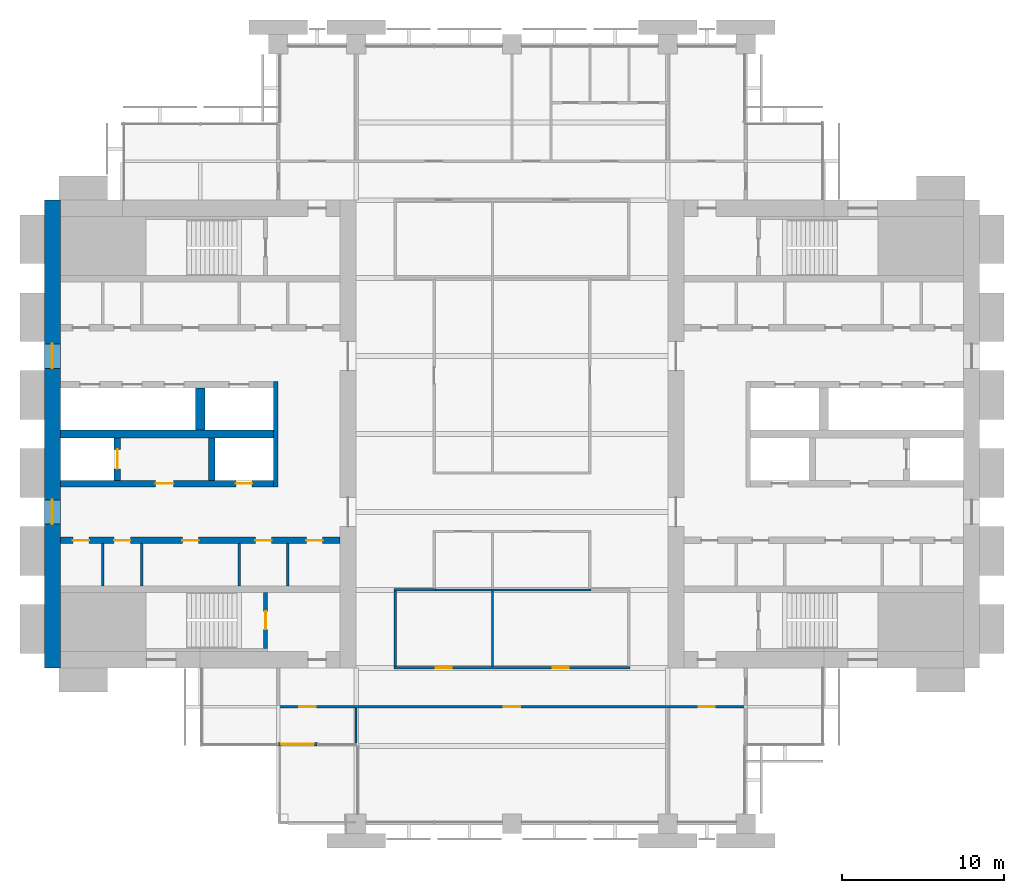
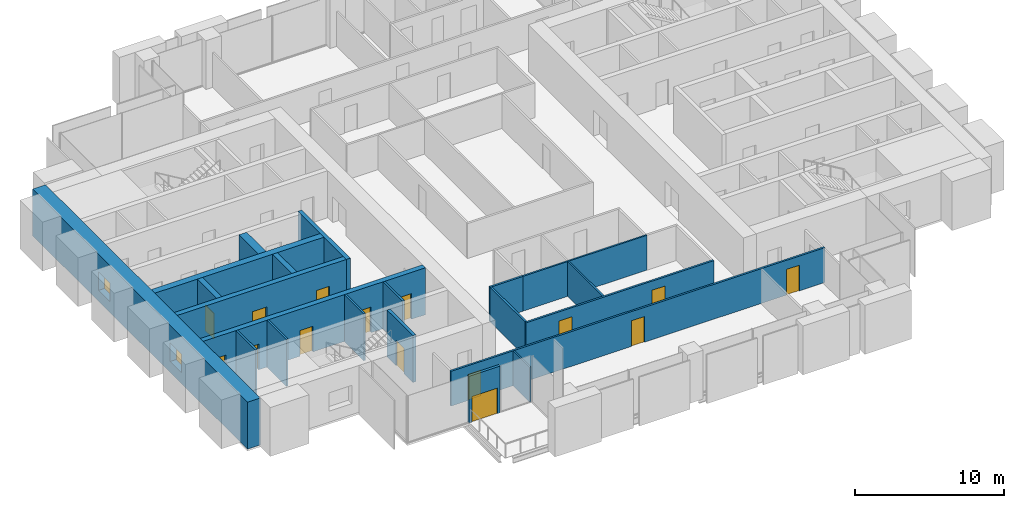
# One storey, part 9 of 14: 21 walls, 15 doors, 2 windows, 17 openings.
"""IFC4 building model written with IfcOpenShell, lengths in metres."""

from ifc_helpers import new_model, si_unit, direction, frame, frame_2d, origin, place, context, subcontext, project, spatial, rectangle, extrude, material, layer, layer_set, type_object, element, fill, save


model = new_model("IFC4")

# Units and contexts
model_context = context("Model", 3, precision=1e-05, world=origin(), true_north=direction((0.0, 1.0)))
body_context = subcontext(model_context, "Body", "Model", "MODEL_VIEW")
ifc_project = project(units=[si_unit("LENGTHUNIT", "METRE"), si_unit("AREAUNIT", "SQUARE_METRE"), si_unit("VOLUMEUNIT", "CUBIC_METRE"), si_unit("PLANEANGLEUNIT", "RADIAN"), si_unit("MASSUNIT", "GRAM", prefix="KILO")], contexts=[model_context])

# Site, building, storey
site_placement = place(None, origin())
site = spatial("IfcSite", under=ifc_project, at=site_placement, CompositionType="ELEMENT")
building_placement = place(site_placement, origin())
building = spatial("IfcBuilding", under=site, at=building_placement, Name="Baori Bourse Tower", CompositionType="ELEMENT")
storey_placement = place(building_placement, frame((0.0, 0.0, 148.10009765625)))
storey = spatial("IfcBuildingStorey", under=building, at=storey_placement, Name="L32", CompositionType="ELEMENT", Elevation=148.10009765625)

# Walls
ifc_material_1 = material(Name="Blockwork partition", Category="masonry")
ifc_layer_1 = layer(ifc_material_1, 0.14990234375)
ifc_layer_set_1 = layer_set([ifc_layer_1], Name="Core partition 150")
wall_type_1 = type_object("IfcWallType", Name="Core partition 150", PredefinedType="PARTITIONING", material=ifc_layer_set_1)
for number, where, z_axis, x_axis, name in (
    (1, (3.60009765625, 14.64990234375, 0.0), (0.0, 0.0, 1.0), (0.0, 1.0, 0.0), "Partition wall W10"),
    (2, (6.0, 14.64990234375, 0.0), (0.0, 0.0, 1.0), (0.0, 1.0, 0.0), "Partition wall W11"),
    (3, (12.0, 14.64990234375, 0.0), (0.0, 0.0, 1.0), (0.0, 1.0, 0.0), "Partition wall W12"),
    (4, (15.0, 14.64990234375, 0.0), (0.0, 0.0, 1.0), (0.0, 1.0, 0.0), "Partition wall W13"),
):
    element("IfcWall", number, at=place(storey_placement, frame(where, z_axis=z_axis, x_axis=x_axis)), inside=storey, type_object=wall_type_1, Name=name, PredefinedType="PARTITIONING", context=body_context, shape_type="SweptSolid", body=[
        extrude(rectangle(XDim=2.60009765625, YDim=0.14990234375, at=frame_2d((1.300048828125, 0.0))), origin(), (0.0, 0.0, 1.0), 3.83984375),
    ])

# Wall, openings, windows
ifc_material_2 = material(Name="Concrete f'c 60 MPa", Category="concrete")
ifc_layer_2 = layer(ifc_material_2, 1.0)
ifc_layer_set_2 = layer_set([ifc_layer_2], Name="Core wall 1000 f'c 60")
wall_type_2 = type_object("IfcWallType", Name="Core wall 1000 f'c 60", PredefinedType="SHEAR", material=ifc_layer_set_2)
wall_1_placement = place(storey_placement, frame((0.5, 9.60009765625, 0.0), z_axis=(0.0, 0.0, 1.0), x_axis=(0.0, 1.0, 0.0)))
wall_1 = element("IfcWall", 5, at=wall_1_placement, inside=storey, type_object=wall_type_2, Name="Core wall W01", PredefinedType="SHEAR", context=body_context, shape_type="SweptSolid", body=[
    extrude(rectangle(XDim=28.7998046875, YDim=1.0, at=frame_2d((14.39990234375, 0.0))), origin(), (0.0, 0.0, 1.0), 3.83984375),
])
opening_1_placement = place(wall_1_placement, frame((8.85009765625, 0.0, 0.89990234375)))
opening_1 = element("IfcOpeningElement", 6, at=opening_1_placement, cuts=wall_1, Name="Opening L32-KW101", PredefinedType="OPENING", context=body_context, shape_type="SweptSolid", body=[
    extrude(rectangle(XDim=1.5, YDim=1.5, at=frame_2d((0.75, 0.75))), frame((0.0, 0.510009765625, 0.0), z_axis=(0.0, -1.0, 0.0), x_axis=(1.0, 0.0, 0.0)), (0.0, 0.0, 1.0), 1.02001953125),
])
opening_2_placement = place(wall_1_placement, frame((18.449951171875, 0.0, 0.89990234375)))
opening_2 = element("IfcOpeningElement", 7, at=opening_2_placement, cuts=wall_1, Name="Opening L32-KW102", PredefinedType="OPENING", context=body_context, shape_type="SweptSolid", body=[
    extrude(rectangle(XDim=1.5, YDim=1.5, at=frame_2d((0.75, 0.75))), frame((0.0, 0.510009765625, 0.0), z_axis=(0.0, -1.0, 0.0), x_axis=(1.0, 0.0, 0.0)), (0.0, 0.0, 1.0), 1.02001953125),
])
ifc_material_3 = material(Name="Pale anodised aluminium", Category="aluminium")
window_type = type_object("IfcWindowType", Name="Lobby window 1500 x 1500", PartitioningType="SINGLE_PANEL", PredefinedType="WINDOW", material=ifc_material_3)
window_1_placement = place(opening_1_placement, origin())
window_1 = element("IfcWindow", 8, at=window_1_placement, inside=storey, type_object=window_type, Name="Outer wall window W L32 1", OverallHeight=1.5, OverallWidth=1.5, PartitioningType="SINGLE_PANEL", PredefinedType="WINDOW", context=body_context, shape_type="SweptSolid", body=[
    extrude(rectangle(XDim=1.5, YDim=1.5, at=frame_2d((0.75, 0.75))), frame((0.0, 0.030029296875, 0.0), z_axis=(0.0, -1.0, 0.0), x_axis=(1.0, 0.0, 0.0)), (0.0, 0.0, 1.0), 0.06005859375),
])
fill(opening_1, window_1)
window_2_placement = place(opening_2_placement, origin())
window_2 = element("IfcWindow", 9, at=window_2_placement, inside=storey, type_object=window_type, Name="Outer wall window W L32 2", OverallHeight=1.5, OverallWidth=1.5, PartitioningType="SINGLE_PANEL", PredefinedType="WINDOW", context=body_context, shape_type="SweptSolid", body=[
    extrude(rectangle(XDim=1.5, YDim=1.5, at=frame_2d((0.75, 0.75))), frame((0.0, 0.030029296875, 0.0), z_axis=(0.0, -1.0, 0.0), x_axis=(1.0, 0.0, 0.0)), (0.0, 0.0, 1.0), 0.06005859375),
])
fill(opening_2, window_2)

# Wall, openings, doors
ifc_material_4 = material(Name="Gypsum board partition")
ifc_layer_3 = layer(ifc_material_4, 0.14990234375)
ifc_layer_set_3 = layer_set([ifc_layer_3], Name="Corridor partition 150")
wall_type_3 = type_object("IfcWallType", Name="Corridor partition 150", PredefinedType="PARTITIONING", material=ifc_layer_set_3)
wall_2_placement = place(storey_placement, frame((14.324951171875, 7.199951171875, 0.0), z_axis=(0.0, 0.0, 1.0), x_axis=(1.0, 0.0, 0.0)))
wall_2 = element("IfcWall", 10, at=wall_2_placement, inside=storey, type_object=wall_type_3, Name="Partition", PredefinedType="PARTITIONING", context=body_context, shape_type="SweptSolid", body=[
    extrude(rectangle(XDim=28.949951171875, YDim=0.14990234375, at=frame_2d((14.47509765625, 0.0))), origin(), (0.0, 0.0, 1.0), 2.849365234375),
])
opening_3_placement = place(wall_2_placement, frame((1.375, 0.0, 0.0)))
opening_3 = element("IfcOpeningElement", 11, at=opening_3_placement, cuts=wall_2, Name="Opening L32-D01", PredefinedType="OPENING", context=body_context, shape_type="SweptSolid", body=[
    extrude(rectangle(XDim=1.0, YDim=2.10009765625, at=frame_2d((0.5, 1.050048828125))), frame((0.0, 0.0849609375, 0.0), z_axis=(0.0, -1.0, 0.0), x_axis=(1.0, 0.0, 0.0)), (0.0, 0.0, 1.0), 0.169921875),
])
opening_4_placement = place(wall_2_placement, frame((13.97509765625, 0.0, 0.0)))
opening_4 = element("IfcOpeningElement", 12, at=opening_4_placement, cuts=wall_2, Name="Opening L32-D02", PredefinedType="OPENING", context=body_context, shape_type="SweptSolid", body=[
    extrude(rectangle(XDim=1.0, YDim=2.10009765625, at=frame_2d((0.5, 1.050048828125))), frame((0.0, 0.0849609375, 0.0), z_axis=(0.0, -1.0, 0.0), x_axis=(1.0, 0.0, 0.0)), (0.0, 0.0, 1.0), 0.169921875),
])
opening_5_placement = place(wall_2_placement, frame((25.97509765625, 0.0, 0.0)))
opening_5 = element("IfcOpeningElement", 13, at=opening_5_placement, cuts=wall_2, Name="Opening L32-D03", PredefinedType="OPENING", context=body_context, shape_type="SweptSolid", body=[
    extrude(rectangle(XDim=1.0, YDim=2.10009765625, at=frame_2d((0.5, 1.050048828125))), frame((0.0, 0.0849609375, 0.0), z_axis=(0.0, -1.0, 0.0), x_axis=(1.0, 0.0, 0.0)), (0.0, 0.0, 1.0), 0.169921875),
])
ifc_material_5 = material(Name="Timber door leaf", Category="wood")
door_type_1 = type_object("IfcDoorType", Name="Door 1000 x 2100", OperationType="SINGLE_SWING_LEFT", PredefinedType="DOOR", material=ifc_material_5)
door_1_placement = place(opening_3_placement, origin())
door_1 = element("IfcDoor", 14, at=door_1_placement, inside=storey, type_object=door_type_1, Name="Door", OperationType="SINGLE_SWING_LEFT", OverallHeight=2.10009765625, OverallWidth=1.0, PredefinedType="DOOR", context=body_context, shape_type="SweptSolid", body=[
    extrude(rectangle(XDim=1.0, YDim=2.10009765625, at=frame_2d((0.5, 1.050048828125))), frame((0.0, 0.02490234375, 0.0), z_axis=(0.0, -1.0, 0.0), x_axis=(1.0, 0.0, 0.0)), (0.0, 0.0, 1.0), 0.050048828125),
])
fill(opening_3, door_1)
door_2_placement = place(opening_4_placement, origin())
door_2 = element("IfcDoor", 15, at=door_2_placement, inside=storey, type_object=door_type_1, Name="Door", OperationType="SINGLE_SWING_RIGHT", OverallHeight=2.10009765625, OverallWidth=1.0, PredefinedType="DOOR", context=body_context, shape_type="SweptSolid", body=[
    extrude(rectangle(XDim=1.0, YDim=2.10009765625, at=frame_2d((0.5, 1.050048828125))), frame((0.0, 0.02490234375, 0.0), z_axis=(0.0, -1.0, 0.0), x_axis=(1.0, 0.0, 0.0)), (0.0, 0.0, 1.0), 0.050048828125),
])
fill(opening_4, door_2)
door_3_placement = place(opening_5_placement, origin())
door_3 = element("IfcDoor", 16, at=door_3_placement, inside=storey, type_object=door_type_1, Name="Door", OperationType="SINGLE_SWING_RIGHT", OverallHeight=2.10009765625, OverallWidth=1.0, PredefinedType="DOOR", context=body_context, shape_type="SweptSolid", body=[
    extrude(rectangle(XDim=1.0, YDim=2.10009765625, at=frame_2d((0.5, 1.050048828125))), frame((0.0, 0.02490234375, 0.0), z_axis=(0.0, -1.0, 0.0), x_axis=(1.0, 0.0, 0.0)), (0.0, 0.0, 1.0), 0.050048828125),
])
fill(opening_5, door_3)

wall_3_placement = place(storey_placement, frame((21.52490234375, 9.60009765625, 0.0), z_axis=(0.0, 0.0, 1.0), x_axis=(1.0, 0.0, 0.0)))
wall_3 = element("IfcWall", 17, at=wall_3_placement, inside=storey, type_object=wall_type_3, Name="Partition", PredefinedType="PARTITIONING", context=body_context, shape_type="SweptSolid", body=[
    extrude(rectangle(XDim=14.550048828125, YDim=0.14990234375, at=frame_2d((7.27490234375, 0.0))), origin(), (0.0, 0.0, 1.0), 2.849365234375),
])
opening_6_placement = place(wall_3_placement, frame((2.574951171875, 0.0, 0.0)))
opening_6 = element("IfcOpeningElement", 18, at=opening_6_placement, cuts=wall_3, Name="Opening L32-D04", PredefinedType="OPENING", context=body_context, shape_type="SweptSolid", body=[
    extrude(rectangle(XDim=1.0, YDim=2.10009765625, at=frame_2d((0.5, 1.050048828125))), frame((0.0, 0.0849609375, 0.0), z_axis=(0.0, -1.0, 0.0), x_axis=(1.0, 0.0, 0.0)), (0.0, 0.0, 1.0), 0.169921875),
])
opening_7_placement = place(wall_3_placement, frame((9.77490234375, 0.0, 0.0)))
opening_7 = element("IfcOpeningElement", 19, at=opening_7_placement, cuts=wall_3, Name="Opening L32-D05", PredefinedType="OPENING", context=body_context, shape_type="SweptSolid", body=[
    extrude(rectangle(XDim=1.0, YDim=2.10009765625, at=frame_2d((0.5, 1.050048828125))), frame((0.0, 0.0849609375, 0.0), z_axis=(0.0, -1.0, 0.0), x_axis=(1.0, 0.0, 0.0)), (0.0, 0.0, 1.0), 0.169921875),
])
door_4_placement = place(opening_6_placement, origin())
door_4 = element("IfcDoor", 20, at=door_4_placement, inside=storey, type_object=door_type_1, Name="Door", OperationType="SINGLE_SWING_RIGHT", OverallHeight=2.10009765625, OverallWidth=1.0, PredefinedType="DOOR", context=body_context, shape_type="SweptSolid", body=[
    extrude(rectangle(XDim=1.0, YDim=2.10009765625, at=frame_2d((0.5, 1.050048828125))), frame((0.0, 0.02490234375, 0.0), z_axis=(0.0, -1.0, 0.0), x_axis=(1.0, 0.0, 0.0)), (0.0, 0.0, 1.0), 0.050048828125),
])
fill(opening_6, door_4)
door_5_placement = place(opening_7_placement, origin())
door_5 = element("IfcDoor", 21, at=door_5_placement, inside=storey, type_object=door_type_1, Name="Door", OperationType="SINGLE_SWING_LEFT", OverallHeight=2.10009765625, OverallWidth=1.0, PredefinedType="DOOR", context=body_context, shape_type="SweptSolid", body=[
    extrude(rectangle(XDim=1.0, YDim=2.10009765625, at=frame_2d((0.5, 1.050048828125))), frame((0.0, 0.02490234375, 0.0), z_axis=(0.0, -1.0, 0.0), x_axis=(1.0, 0.0, 0.0)), (0.0, 0.0, 1.0), 0.050048828125),
])
fill(opening_7, door_5)

# Walls
wall_4_placement = place(storey_placement, frame((21.52490234375, 14.39990234375, 0.0), z_axis=(0.0, 0.0, 1.0), x_axis=(1.0, 0.0, 0.0)))
element("IfcWall", 22, at=wall_4_placement, inside=storey, type_object=wall_type_3, Name="Partition", PredefinedType="PARTITIONING", context=body_context, shape_type="SweptSolid", body=[
    extrude(rectangle(XDim=2.550048828125, YDim=0.14990234375, at=frame_2d((1.27490234375, 0.0))), origin(), (0.0, 0.0, 1.0), 2.849365234375),
])
wall_5_placement = place(storey_placement, frame((21.60009765625, 9.675048828125, 0.0), z_axis=(0.0, 0.0, 1.0), x_axis=(0.0, 1.0, 0.0)))
element("IfcWall", 23, at=wall_5_placement, inside=storey, type_object=wall_type_3, Name="Partition", PredefinedType="PARTITIONING", context=body_context, shape_type="SweptSolid", body=[
    extrude(rectangle(XDim=4.64990234375, YDim=0.14990234375, at=frame_2d((2.324951171875, 0.0))), origin(), (0.0, 0.0, 1.0), 2.849365234375),
])

# Wall, opening, door
ifc_material_6 = material(Name="Pale anodised aluminium", Category="aluminium")
ifc_layer_4 = layer(ifc_material_6, 0.199951171875)
ifc_layer_set_4 = layer_set([ifc_layer_4], Name="EW1 External wall bay")
wall_type_4 = type_object("IfcWallType", Name="EW1 External wall bay", PredefinedType="SOLIDWALL", material=ifc_layer_set_4)
wall_6_placement = place(storey_placement, frame((14.39990234375, 4.89990234375, 0.0), z_axis=(0.0, 0.0, 1.0), x_axis=(1.0, 0.0, 0.0)))
wall_6 = element("IfcWall", 24, at=wall_6_placement, inside=storey, type_object=wall_type_4, Name="External wall bay L32 1", PredefinedType="SOLIDWALL", context=body_context, shape_type="SweptSolid", body=[
    extrude(rectangle(XDim=2.400146484375, YDim=0.199951171875, at=frame_2d((1.2001953125, 0.0))), origin(), (0.0, 0.0, 1.0), 3.83984375),
])
opening_8_placement = place(wall_6_placement, frame((0.199951171875, 0.0, 0.0)))
opening_8 = element("IfcOpeningElement", 25, at=opening_8_placement, cuts=wall_6, Name="Opening L32-D91", PredefinedType="OPENING", context=body_context, shape_type="SweptSolid", body=[
    extrude(rectangle(XDim=2.0, YDim=2.10009765625, at=frame_2d((1.0, 1.050048828125))), frame((0.0, 0.10986328125, 0.0), z_axis=(0.0, -1.0, 0.0), x_axis=(1.0, 0.0, 0.0)), (0.0, 0.0, 1.0), 0.219970703125),
])
ifc_material_7 = material(Name="Pale anodised aluminium", Category="aluminium")
door_type_2 = type_object("IfcDoorType", Name="TR1 Terrace door", OperationType="DOUBLE_DOOR_SINGLE_SWING", PredefinedType="DOOR", material=ifc_material_7)
door_6_placement = place(opening_8_placement, origin())
door_6 = element("IfcDoor", 26, at=door_6_placement, inside=storey, type_object=door_type_2, Name="Terrace door L32 1", OperationType="SINGLE_SWING_LEFT", OverallHeight=2.10009765625, OverallWidth=2.0, PredefinedType="DOOR", context=body_context, shape_type="SweptSolid", body=[
    extrude(rectangle(XDim=2.0, YDim=2.10009765625, at=frame_2d((1.0, 1.050048828125))), frame((0.0, 0.02490234375, 0.0), z_axis=(0.0, -1.0, 0.0), x_axis=(1.0, 0.0, 0.0)), (0.0, 0.0, 1.0), 0.050048828125),
])
fill(opening_8, door_6)

# Walls
ifc_material_8 = material(Name="Gypsum board partition")
ifc_layer_5 = layer(ifc_material_8, 0.125)
ifc_layer_set_5 = layer_set([ifc_layer_5], Name="Partition 125")
wall_type_5 = type_object("IfcWallType", Name="Partition 125", PredefinedType="PARTITIONING", material=ifc_layer_set_5)
wall_7_placement = place(storey_placement, frame((24.074951171875, 14.39990234375, 0.0), z_axis=(0.0, 0.0, 1.0), x_axis=(1.0, 0.0, 0.0)))
element("IfcWall", 27, at=wall_7_placement, inside=storey, type_object=wall_type_5, Name="Partition", PredefinedType="PARTITIONING", context=body_context, shape_type="SweptSolid", body=[
    extrude(rectangle(XDim=9.60009765625, YDim=0.125, at=frame_2d((4.800048828125, 0.0))), origin(), (0.0, 0.0, 1.0), 2.849365234375),
])
wall_8_placement = place(storey_placement, frame((19.199951171875, 4.89990234375, 0.0), z_axis=(0.0, 0.0, 1.0), x_axis=(0.0, 1.0, 0.0)))
element("IfcWall", 28, at=wall_8_placement, inside=storey, type_object=wall_type_5, Name="Partition", PredefinedType="PARTITIONING", context=body_context, shape_type="SweptSolid", body=[
    extrude(rectangle(XDim=2.22509765625, YDim=0.125, at=frame_2d((1.112548828125, 0.0))), origin(), (0.0, 0.0, 1.0), 2.849365234375),
])
wall_9_placement = place(storey_placement, frame((27.60009765625, 9.675048828125, 0.0), z_axis=(0.0, 0.0, 1.0), x_axis=(0.0, 1.0, 0.0)))
element("IfcWall", 29, at=wall_9_placement, inside=storey, type_object=wall_type_5, Name="Partition", PredefinedType="PARTITIONING", context=body_context, shape_type="SweptSolid", body=[
    extrude(rectangle(XDim=4.662353515625, YDim=0.125, at=frame_2d((2.3310546875, 0.0))), origin(), (0.0, 0.0, 1.0), 2.849365234375),
])

# Wall, opening, door
ifc_material_9 = material(Name="Concrete f'c 60 MPa", Category="concrete")
ifc_layer_6 = layer(ifc_material_9, 0.25)
ifc_layer_set_6 = layer_set([ifc_layer_6], Name="Shaft wall 250 f'c 60")
wall_type_6 = type_object("IfcWallType", Name="Shaft wall 250 f'c 60", PredefinedType="SHEAR", material=ifc_layer_set_6)
wall_10_placement = place(storey_placement, frame((13.625, 10.800048828125, 0.0), z_axis=(0.0, 0.0, 1.0), x_axis=(0.0, 1.0, 0.0)))
wall_10 = element("IfcWall", 30, at=wall_10_placement, inside=storey, type_object=wall_type_6, Name="Core wall W08", PredefinedType="SHEAR", context=body_context, shape_type="SweptSolid", body=[
    extrude(rectangle(XDim=3.449951171875, YDim=0.25, at=frame_2d((1.72509765625, 0.0))), origin(), (0.0, 0.0, 1.0), 3.83984375),
])
opening_9_placement = place(wall_10_placement, frame((1.175048828125, 0.0, 0.0)))
opening_9 = element("IfcOpeningElement", 31, at=opening_9_placement, cuts=wall_10, Name="Opening L32-D101", PredefinedType="OPENING", context=body_context, shape_type="SweptSolid", body=[
    extrude(rectangle(XDim=1.10009765625, YDim=2.10009765625, at=frame_2d((0.550048828125, 1.050048828125))), frame((0.0, 0.135009765625, 0.0), z_axis=(0.0, -1.0, 0.0), x_axis=(1.0, 0.0, 0.0)), (0.0, 0.0, 1.0), 0.27001953125),
])
ifc_material_10 = material(Name="Painted steel door", Category="steel")
door_type_3 = type_object("IfcDoorType", Name="Stair door 1100", OperationType="SINGLE_SWING_LEFT", PredefinedType="DOOR", material=ifc_material_10)
door_7_placement = place(opening_9_placement, origin())
door_7 = element("IfcDoor", 32, at=door_7_placement, inside=storey, type_object=door_type_3, Name="Stair door A W L32", OperationType="SINGLE_SWING_LEFT", OverallHeight=2.10009765625, OverallWidth=1.10009765625, PredefinedType="DOOR", context=body_context, shape_type="SweptSolid", body=[
    extrude(rectangle(XDim=1.10009765625, YDim=2.10009765625, at=frame_2d((0.550048828125, 1.050048828125))), frame((0.0, 0.02490234375, 0.0), z_axis=(0.0, -1.0, 0.0), x_axis=(1.0, 0.0, 0.0)), (0.0, 0.0, 1.0), 0.050048828125),
])
fill(opening_9, door_7)

# Wall
ifc_material_11 = material(Name="Concrete f'c 60 MPa", Category="concrete")
ifc_layer_7 = layer(ifc_material_11, 0.300048828125)
ifc_layer_set_7 = layer_set([ifc_layer_7], Name="Shaft wall 300 f'c 60")
wall_type_7 = type_object("IfcWallType", Name="Shaft wall 300 f'c 60", PredefinedType="SHEAR", material=ifc_layer_set_7)
wall_11_placement = place(storey_placement, frame((14.25, 20.75, 0.0), z_axis=(0.0, 0.0, 1.0), x_axis=(0.0, 1.0, 0.0)))
element("IfcWall", 33, at=wall_11_placement, inside=storey, type_object=wall_type_7, Name="Core wall W16", PredefinedType="SHEAR", context=body_context, shape_type="SweptSolid", body=[
    extrude(rectangle(XDim=6.5, YDim=0.300048828125, at=frame_2d((3.25, 0.0))), origin(), (0.0, 0.0, 1.0), 3.83984375),
])

# Wall, openings, doors
ifc_material_12 = material(Name="Concrete f'c 60 MPa", Category="concrete")
ifc_layer_8 = layer(ifc_material_12, 0.39990234375)
ifc_layer_set_8 = layer_set([ifc_layer_8], Name="Shaft wall 400 f'c 60")
wall_type_8 = type_object("IfcWallType", Name="Shaft wall 400 f'c 60", PredefinedType="SHEAR", material=ifc_layer_set_8)
wall_12_placement = place(storey_placement, frame((1.0, 17.449951171875, 0.0), z_axis=(0.0, 0.0, 1.0), x_axis=(1.0, 0.0, 0.0)))
wall_12 = element("IfcWall", 34, at=wall_12_placement, inside=storey, type_object=wall_type_8, Name="Core wall W14", PredefinedType="SHEAR", context=body_context, shape_type="SweptSolid", body=[
    extrude(rectangle(XDim=17.199951171875, YDim=0.39990234375, at=frame_2d((8.60009765625, 0.0))), origin(), (0.0, 0.0, 1.0), 3.83984375),
])
opening_10_placement = place(wall_12_placement, frame((0.762451171875, 0.0, 0.0)))
opening_10 = element("IfcOpeningElement", 35, at=opening_10_placement, cuts=wall_12, Name="Opening L32-D114", PredefinedType="OPENING", context=body_context, shape_type="SweptSolid", body=[
    extrude(rectangle(XDim=1.0, YDim=2.10009765625, at=frame_2d((0.5, 1.050048828125))), frame((0.0, 0.2099609375, 0.0), z_axis=(0.0, -1.0, 0.0), x_axis=(1.0, 0.0, 0.0)), (0.0, 0.0, 1.0), 0.419921875),
])
opening_11_placement = place(wall_12_placement, frame((3.300048828125, 0.0, 0.0)))
opening_11 = element("IfcOpeningElement", 36, at=opening_11_placement, cuts=wall_12, Name="Opening L32-D115", PredefinedType="OPENING", context=body_context, shape_type="SweptSolid", body=[
    extrude(rectangle(XDim=1.0, YDim=2.10009765625, at=frame_2d((0.5, 1.050048828125))), frame((0.0, 0.2099609375, 0.0), z_axis=(0.0, -1.0, 0.0), x_axis=(1.0, 0.0, 0.0)), (0.0, 0.0, 1.0), 0.419921875),
])
opening_12_placement = place(wall_12_placement, frame((7.5, 0.0, 0.0)))
opening_12 = element("IfcOpeningElement", 37, at=opening_12_placement, cuts=wall_12, Name="Opening L32-D116", PredefinedType="OPENING", context=body_context, shape_type="SweptSolid", body=[
    extrude(rectangle(XDim=1.0, YDim=2.10009765625, at=frame_2d((0.5, 1.050048828125))), frame((0.0, 0.2099609375, 0.0), z_axis=(0.0, -1.0, 0.0), x_axis=(1.0, 0.0, 0.0)), (0.0, 0.0, 1.0), 0.419921875),
])
opening_13_placement = place(wall_12_placement, frame((12.0, 0.0, 0.0)))
opening_13 = element("IfcOpeningElement", 38, at=opening_13_placement, cuts=wall_12, Name="Opening L32-D117", PredefinedType="OPENING", context=body_context, shape_type="SweptSolid", body=[
    extrude(rectangle(XDim=1.0, YDim=2.10009765625, at=frame_2d((0.5, 1.050048828125))), frame((0.0, 0.2099609375, 0.0), z_axis=(0.0, -1.0, 0.0), x_axis=(1.0, 0.0, 0.0)), (0.0, 0.0, 1.0), 0.419921875),
])
opening_14_placement = place(wall_12_placement, frame((15.137451171875, 0.0, 0.0)))
opening_14 = element("IfcOpeningElement", 39, at=opening_14_placement, cuts=wall_12, Name="Opening L32-D118", PredefinedType="OPENING", context=body_context, shape_type="SweptSolid", body=[
    extrude(rectangle(XDim=1.0, YDim=2.10009765625, at=frame_2d((0.5, 1.050048828125))), frame((0.0, 0.2099609375, 0.0), z_axis=(0.0, -1.0, 0.0), x_axis=(1.0, 0.0, 0.0)), (0.0, 0.0, 1.0), 0.419921875),
])
ifc_material_13 = material(Name="Painted steel door", Category="steel")
door_type_4 = type_object("IfcDoorType", Name="Core door 1000", OperationType="SINGLE_SWING_LEFT", PredefinedType="DOOR", material=ifc_material_13)
door_8_placement = place(opening_10_placement, origin())
door_8 = element("IfcDoor", 40, at=door_8_placement, inside=storey, type_object=door_type_4, Name="Store Room door W L32", OperationType="SINGLE_SWING_LEFT", OverallHeight=2.10009765625, OverallWidth=1.0, PredefinedType="DOOR", context=body_context, shape_type="SweptSolid", body=[
    extrude(rectangle(XDim=1.0, YDim=2.10009765625, at=frame_2d((0.5, 1.050048828125))), frame((0.0, 0.02490234375, 0.0), z_axis=(0.0, -1.0, 0.0), x_axis=(1.0, 0.0, 0.0)), (0.0, 0.0, 1.0), 0.050048828125),
])
fill(opening_10, door_8)
door_9_placement = place(opening_11_placement, origin())
door_9 = element("IfcDoor", 41, at=door_9_placement, inside=storey, type_object=door_type_4, Name="Pantry door W L32", OperationType="SINGLE_SWING_LEFT", OverallHeight=2.10009765625, OverallWidth=1.0, PredefinedType="DOOR", context=body_context, shape_type="SweptSolid", body=[
    extrude(rectangle(XDim=1.0, YDim=2.10009765625, at=frame_2d((0.5, 1.050048828125))), frame((0.0, 0.02490234375, 0.0), z_axis=(0.0, -1.0, 0.0), x_axis=(1.0, 0.0, 0.0)), (0.0, 0.0, 1.0), 0.050048828125),
])
fill(opening_11, door_9)
door_10_placement = place(opening_12_placement, origin())
door_10 = element("IfcDoor", 42, at=door_10_placement, inside=storey, type_object=door_type_4, Name="Men'S Wc door W L32", OperationType="SINGLE_SWING_LEFT", OverallHeight=2.10009765625, OverallWidth=1.0, PredefinedType="DOOR", context=body_context, shape_type="SweptSolid", body=[
    extrude(rectangle(XDim=1.0, YDim=2.10009765625, at=frame_2d((0.5, 1.050048828125))), frame((0.0, 0.02490234375, 0.0), z_axis=(0.0, -1.0, 0.0), x_axis=(1.0, 0.0, 0.0)), (0.0, 0.0, 1.0), 0.050048828125),
])
fill(opening_12, door_10)
door_11_placement = place(opening_13_placement, origin())
door_11 = element("IfcDoor", 43, at=door_11_placement, inside=storey, type_object=door_type_4, Name="Women'S Wc door W L32", OperationType="SINGLE_SWING_LEFT", OverallHeight=2.10009765625, OverallWidth=1.0, PredefinedType="DOOR", context=body_context, shape_type="SweptSolid", body=[
    extrude(rectangle(XDim=1.0, YDim=2.10009765625, at=frame_2d((0.5, 1.050048828125))), frame((0.0, 0.02490234375, 0.0), z_axis=(0.0, -1.0, 0.0), x_axis=(1.0, 0.0, 0.0)), (0.0, 0.0, 1.0), 0.050048828125),
])
fill(opening_13, door_11)
door_12_placement = place(opening_14_placement, origin())
door_12 = element("IfcDoor", 44, at=door_12_placement, inside=storey, type_object=door_type_4, Name="Accessible Wc door W L32", OperationType="SINGLE_SWING_LEFT", OverallHeight=2.10009765625, OverallWidth=1.0, PredefinedType="DOOR", context=body_context, shape_type="SweptSolid", body=[
    extrude(rectangle(XDim=1.0, YDim=2.10009765625, at=frame_2d((0.5, 1.050048828125))), frame((0.0, 0.02490234375, 0.0), z_axis=(0.0, -1.0, 0.0), x_axis=(1.0, 0.0, 0.0)), (0.0, 0.0, 1.0), 0.050048828125),
])
fill(opening_14, door_12)

wall_13_placement = place(storey_placement, frame((1.0, 20.949951171875, 0.0), z_axis=(0.0, 0.0, 1.0), x_axis=(1.0, 0.0, 0.0)))
wall_13 = element("IfcWall", 45, at=wall_13_placement, inside=storey, type_object=wall_type_8, Name="Core wall W15", PredefinedType="SHEAR", context=body_context, shape_type="SweptSolid", body=[
    extrude(rectangle(XDim=13.10009765625, YDim=0.39990234375, at=frame_2d((6.550048828125, 0.0))), origin(), (0.0, 0.0, 1.0), 3.83984375),
])
opening_15_placement = place(wall_13_placement, frame((5.85009765625, 0.0, 0.0)))
opening_15 = element("IfcOpeningElement", 46, at=opening_15_placement, cuts=wall_13, Name="Opening L32-D105", PredefinedType="OPENING", context=body_context, shape_type="SweptSolid", body=[
    extrude(rectangle(XDim=1.10009765625, YDim=2.10009765625, at=frame_2d((0.550048828125, 1.050048828125))), frame((0.0, 0.2099609375, 0.0), z_axis=(0.0, -1.0, 0.0), x_axis=(1.0, 0.0, 0.0)), (0.0, 0.0, 1.0), 0.419921875),
])
opening_16_placement = place(wall_13_placement, frame((10.800048828125, 0.0, 0.0)))
opening_16 = element("IfcOpeningElement", 47, at=opening_16_placement, cuts=wall_13, Name="Opening L32-D106", PredefinedType="OPENING", context=body_context, shape_type="SweptSolid", body=[
    extrude(rectangle(XDim=1.0, YDim=2.10009765625, at=frame_2d((0.5, 1.050048828125))), frame((0.0, 0.2099609375, 0.0), z_axis=(0.0, -1.0, 0.0), x_axis=(1.0, 0.0, 0.0)), (0.0, 0.0, 1.0), 0.419921875),
])
ifc_material_14 = material(Name="Painted steel door", Category="steel")
door_type_5 = type_object("IfcDoorType", Name="Lobby door 1100", OperationType="SINGLE_SWING_LEFT", PredefinedType="DOOR", material=ifc_material_14)
door_13_placement = place(opening_15_placement, origin())
door_13 = element("IfcDoor", 48, at=door_13_placement, inside=storey, type_object=door_type_5, Name="Firefighting lobby door W L32", OperationType="SINGLE_SWING_LEFT", OverallHeight=2.10009765625, OverallWidth=1.10009765625, PredefinedType="DOOR", context=body_context, shape_type="SweptSolid", body=[
    extrude(rectangle(XDim=1.10009765625, YDim=2.10009765625, at=frame_2d((0.550048828125, 1.050048828125))), frame((0.0, 0.02490234375, 0.0), z_axis=(0.0, -1.0, 0.0), x_axis=(1.0, 0.0, 0.0)), (0.0, 0.0, 1.0), 0.050048828125),
])
fill(opening_15, door_13)
ifc_material_15 = material(Name="Painted steel door", Category="steel")
door_type_6 = type_object("IfcDoorType", Name="Shaft door 1000", OperationType="SINGLE_SWING_LEFT", PredefinedType="DOOR", material=ifc_material_15)
door_14_placement = place(opening_16_placement, origin())
door_14 = element("IfcDoor", 49, at=door_14_placement, inside=storey, type_object=door_type_6, Name="Riser room door W L32", OperationType="SINGLE_SWING_LEFT", OverallHeight=2.10009765625, OverallWidth=1.0, PredefinedType="DOOR", context=body_context, shape_type="SweptSolid", body=[
    extrude(rectangle(XDim=1.0, YDim=2.10009765625, at=frame_2d((0.5, 1.050048828125))), frame((0.0, 0.02490234375, 0.0), z_axis=(0.0, -1.0, 0.0), x_axis=(1.0, 0.0, 0.0)), (0.0, 0.0, 1.0), 0.050048828125),
])
fill(opening_16, door_14)

# Wall, opening, door
wall_14_placement = place(storey_placement, frame((4.5, 21.14990234375, 0.0), z_axis=(0.0, 0.0, 1.0), x_axis=(0.0, 1.0, 0.0)))
wall_14 = element("IfcWall", 50, at=wall_14_placement, inside=storey, type_object=wall_type_8, Name="Core wall W17", PredefinedType="SHEAR", context=body_context, shape_type="SweptSolid", body=[
    extrude(rectangle(XDim=2.60009765625, YDim=0.39990234375, at=frame_2d((1.300048828125, 0.0))), origin(), (0.0, 0.0, 1.0), 3.83984375),
])
opening_17_placement = place(wall_14_placement, frame((0.699951171875, 0.0, 0.0)))
opening_17 = element("IfcOpeningElement", 51, at=opening_17_placement, cuts=wall_14, Name="Opening L32-D123", PredefinedType="OPENING", context=body_context, shape_type="SweptSolid", body=[
    extrude(rectangle(XDim=1.199951171875, YDim=2.10009765625, at=frame_2d((0.60009765625, 1.050048828125))), frame((0.0, 0.2099609375, 0.0), z_axis=(0.0, -1.0, 0.0), x_axis=(1.0, 0.0, 0.0)), (0.0, 0.0, 1.0), 0.419921875),
])
ifc_material_16 = material(Name="Stainless steel door", Category="steel")
door_type_7 = type_object("IfcDoorType", Name="Lift landing door", OperationType="DOUBLE_DOOR_SLIDING", PredefinedType="DOOR", material=ifc_material_16)
door_15_placement = place(opening_17_placement, origin())
door_15 = element("IfcDoor", 52, at=door_15_placement, inside=storey, type_object=door_type_7, Name="Lift landing door FF1 W L32", OperationType="DOUBLE_DOOR_SLIDING", OverallHeight=2.10009765625, OverallWidth=1.199951171875, PredefinedType="DOOR", context=body_context, shape_type="SweptSolid", body=[
    extrude(rectangle(XDim=1.199951171875, YDim=2.10009765625, at=frame_2d((0.60009765625, 1.050048828125))), frame((0.0, 0.02490234375, 0.0), z_axis=(0.0, -1.0, 0.0), x_axis=(1.0, 0.0, 0.0)), (0.0, 0.0, 1.0), 0.050048828125),
])
fill(opening_17, door_15)

# Walls
wall_15_placement = place(storey_placement, frame((10.300048828125, 21.14990234375, 0.0), z_axis=(0.0, 0.0, 1.0), x_axis=(0.0, 1.0, 0.0)))
element("IfcWall", 53, at=wall_15_placement, inside=storey, type_object=wall_type_8, Name="Core wall W18", PredefinedType="SHEAR", context=body_context, shape_type="SweptSolid", body=[
    extrude(rectangle(XDim=2.60009765625, YDim=0.39990234375, at=frame_2d((1.300048828125, 0.0))), origin(), (0.0, 0.0, 1.0), 3.83984375),
])
ifc_material_17 = material(Name="Concrete f'c 60 MPa", Category="concrete")
ifc_layer_9 = layer(ifc_material_17, 0.5)
ifc_layer_set_9 = layer_set([ifc_layer_9], Name="Shaft wall 500 f'c 60")
wall_type_9 = type_object("IfcWallType", Name="Shaft wall 500 f'c 60", PredefinedType="SHEAR", material=ifc_layer_set_9)
wall_16_placement = place(storey_placement, frame((1.0, 24.0, 0.0), z_axis=(0.0, 0.0, 1.0), x_axis=(1.0, 0.0, 0.0)))
element("IfcWall", 54, at=wall_16_placement, inside=storey, type_object=wall_type_9, Name="Core wall W19", PredefinedType="SHEAR", context=body_context, shape_type="SweptSolid", body=[
    extrude(rectangle(XDim=13.10009765625, YDim=0.5, at=frame_2d((6.550048828125, 0.0))), origin(), (0.0, 0.0, 1.0), 3.83984375),
])
ifc_material_18 = material(Name="Concrete f'c 60 MPa", Category="concrete")
ifc_layer_10 = layer(ifc_material_18, 0.60009765625)
ifc_layer_set_10 = layer_set([ifc_layer_10], Name="Shaft wall 600 f'c 60")
wall_type_10 = type_object("IfcWallType", Name="Shaft wall 600 f'c 60", PredefinedType="SHEAR", material=ifc_layer_set_10)
wall_17_placement = place(storey_placement, frame((9.60009765625, 24.25, 0.0), z_axis=(0.0, 0.0, 1.0), x_axis=(0.0, 1.0, 0.0)))
element("IfcWall", 55, at=wall_17_placement, inside=storey, type_object=wall_type_10, Name="Core wall W20", PredefinedType="SHEAR", context=body_context, shape_type="SweptSolid", body=[
    extrude(rectangle(XDim=2.60009765625, YDim=0.60009765625, at=frame_2d((1.300048828125, 0.0))), origin(), (0.0, 0.0, 1.0), 3.83984375),
])

save(model, "model.ifc")
